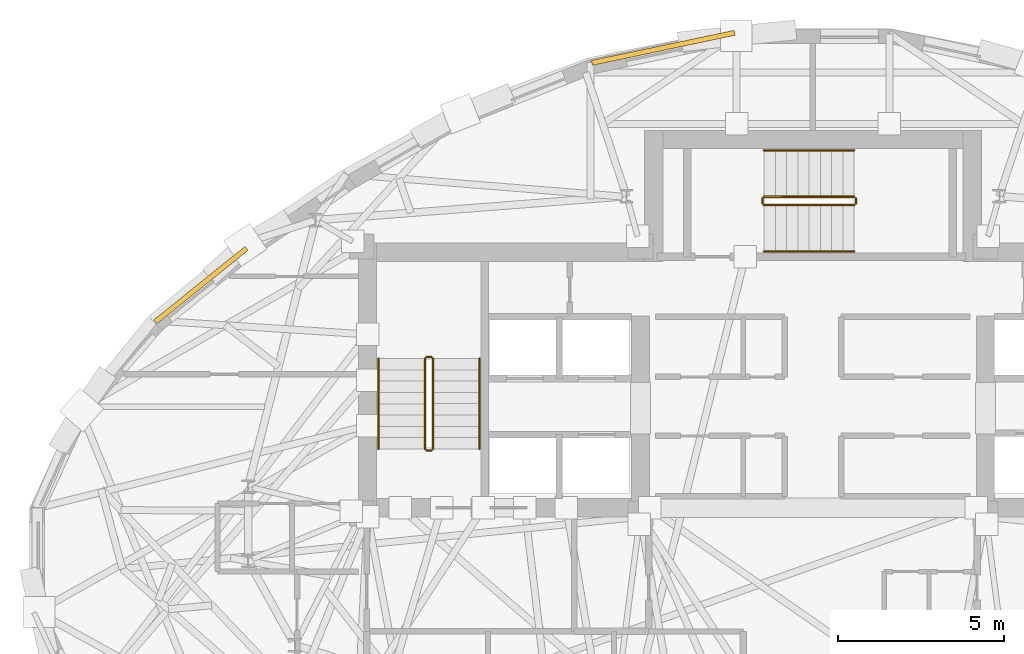
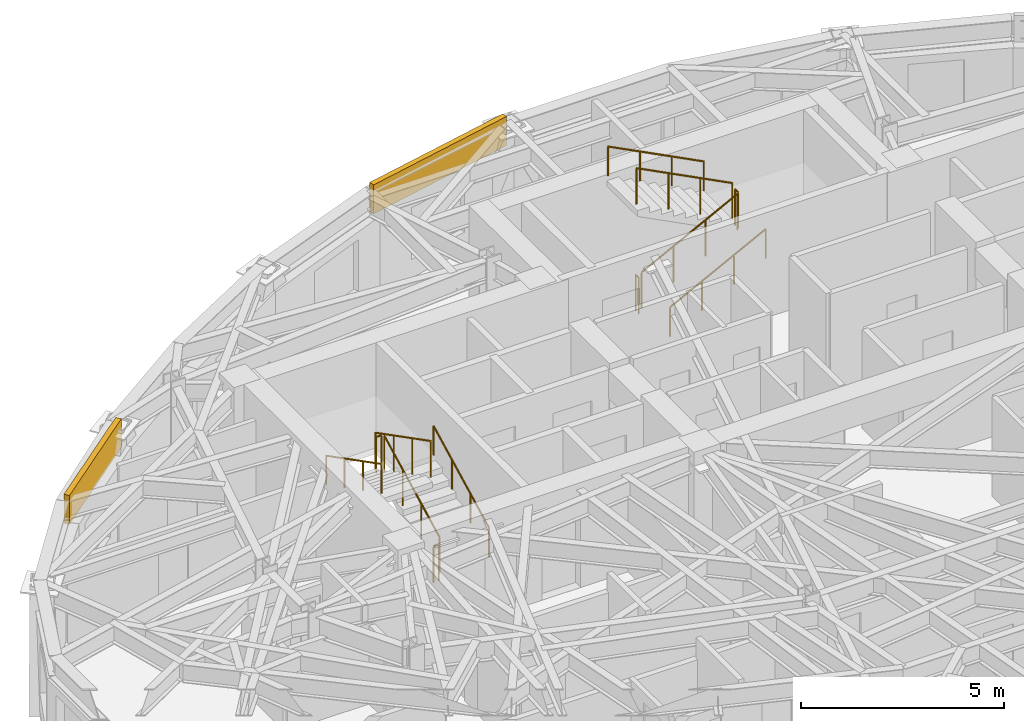
# One storey, part 13 of 14: 12 railings, 2 coverings.
"""IFC4 building model written with IfcOpenShell, lengths in metres."""

from ifc_helpers import new_model, si_unit, direction, frame, origin, origin_2d, place, context, subcontext, project, spatial, rectangle, circle, extrude, material, layer, layer_set, type_object, element, save


model = new_model("IFC4")

# Units and contexts
model_context = context("Model", 3, precision=1e-05, world=origin(), true_north=direction((0.0, 1.0)))
body_context = subcontext(model_context, "Body", "Model", "MODEL_VIEW")
ifc_project = project(units=[si_unit("LENGTHUNIT", "METRE"), si_unit("AREAUNIT", "SQUARE_METRE"), si_unit("VOLUMEUNIT", "CUBIC_METRE"), si_unit("PLANEANGLEUNIT", "RADIAN"), si_unit("MASSUNIT", "GRAM", prefix="KILO")], contexts=[model_context])

# Site, building, storey
site_placement = place(None, origin())
site = spatial("IfcSite", under=ifc_project, at=site_placement, CompositionType="ELEMENT")
building_placement = place(site_placement, origin())
building = spatial("IfcBuilding", under=site, at=building_placement, Name="Keldmark Tower", CompositionType="ELEMENT")
storey_placement = place(building_placement, frame((0.0, 0.0, 213.14990234375)))
storey = spatial("IfcBuildingStorey", under=building, at=storey_placement, Name="L59", CompositionType="ELEMENT", Elevation=213.14990234375)

# Coverings
ifc_material_1 = material(Name="Honed Kasota Buff Dolomitic Limestone", Category="masonry")
ifc_layer = layer(ifc_material_1, 0.074951171875)
ifc_layer_set = layer_set([ifc_layer], Name="Honed Kasota Buff Dolomitic Limestone")
covering_type = type_object("IfcCoveringType", Name="Kasota Buff Limestone Spandrel Cladding Band", PredefinedType="CLADDING", material=ifc_layer_set)
covering_1_placement = place(storey_placement, frame((-4.511962890625, 15.438232421875, 2.260009765625), z_axis=(0.0, 0.0, 1.0), x_axis=(-0.978400882716, -0.206716503214, 0.0)))
element("IfcCovering", 1, at=covering_1_placement, inside=storey, type_object=covering_type, Name="L59 Kasota Limestone Spandrel Band 09", PredefinedType="CLADDING", context=body_context, shape_type="SweptSolid", body=[
    extrude(rectangle(XDim=4.396484375, YDim=0.14990234375, at=origin_2d()), origin(), (0.0, 0.0, 1.0), 0.8701171875),
])
covering_2_placement = place(storey_placement, frame((-18.447998046875, 8.28662109375, 2.260009765625), z_axis=(0.0, 0.0, 1.0), x_axis=(-0.778812749127, -0.627256488047, 0.0)))
element("IfcCovering", 2, at=covering_2_placement, inside=storey, type_object=covering_type, Name="L59 Kasota Limestone Spandrel Band 13", PredefinedType="CLADDING", context=body_context, shape_type="SweptSolid", body=[
    extrude(rectangle(XDim=3.528076171875, YDim=0.14990234375, at=origin_2d()), origin(), (0.0, 0.0, 1.0), 0.8701171875),
])

# Railings
ifc_material_2 = material(Name="Painted Steel ASTM A500 Grade B", Category="steel")
railing_type_1 = type_object("IfcRailingType", Name="Painted Steel Stair Well Guard 1100 mm", PredefinedType="GUARDRAIL", material=ifc_material_2)
railing_1_placement = place(storey_placement, frame((-11.449951171875, 3.35009765625, 0.175048828125)))
element("IfcRailing", 3, at=railing_1_placement, inside=storey, type_object=railing_type_1, Name="L59 ST1 stair guard 1", PredefinedType="GUARDRAIL", context=body_context, shape_type="SweptSolid", body=[
    extrude(circle(Radius=0.02392578125, at=origin_2d()), frame((0.0, 0.0, 1.076171875), z_axis=(0.0, 0.889114319608, 0.457685182924), x_axis=(-1.0, 0.0, 0.0)), (0.0, 0.0, 1.0), 3.05908203125),
    extrude(circle(Radius=0.02099609375, at=origin_2d()), origin(), (0.0, 0.0, 1.0), 1.052001953125),
    extrude(circle(Radius=0.02099609375, at=origin_2d()), frame((0.0, 0.90673828125, 0.466796875)), (0.0, 0.0, 1.0), 1.052001953125),
    extrude(circle(Radius=0.02099609375, at=origin_2d()), frame((0.0, 1.813232421875, 0.933349609375)), (0.0, 0.0, 1.0), 1.052001953125),
    extrude(circle(Radius=0.02099609375, at=origin_2d()), frame((0.0, 2.719970703125, 1.400146484375)), (0.0, 0.0, 1.0), 1.052001953125),
])
railing_2_placement = place(storey_placement, frame((-11.5, 6.1201171875, 1.5751953125)))
element("IfcRailing", 4, at=railing_2_placement, inside=storey, type_object=railing_type_1, Name="L59 ST1 stair guard 2", PredefinedType="GUARDRAIL", context=body_context, shape_type="SweptSolid", body=[
    extrude(circle(Radius=0.02392578125, at=origin_2d()), frame((0.0, 0.0, 1.076171875), z_axis=(-1.0, 0.0, 0.0), x_axis=(0.0, -1.0, 0.0)), (0.0, 0.0, 1.0), 0.14990234375),
    extrude(circle(Radius=0.02099609375, at=origin_2d()), origin(), (0.0, 0.0, 1.0), 1.052001953125),
    extrude(circle(Radius=0.02099609375, at=origin_2d()), frame((-0.14990234375, 0.0, 0.0)), (0.0, 0.0, 1.0), 1.052001953125),
])
railing_3_placement = place(storey_placement, frame((-11.699951171875, 6.070068359375, 1.75)))
element("IfcRailing", 5, at=railing_3_placement, inside=storey, type_object=railing_type_1, Name="L59 ST1 stair guard 3", PredefinedType="GUARDRAIL", context=body_context, shape_type="SweptSolid", body=[
    extrude(circle(Radius=0.02392578125, at=origin_2d()), frame((0.0, 0.0, 1.076171875), z_axis=(0.0, -0.889114319608, 0.457685182924), x_axis=(1.0, 0.0, 0.0)), (0.0, 0.0, 1.0), 3.05908203125),
    extrude(circle(Radius=0.02099609375, at=origin_2d()), origin(), (0.0, 0.0, 1.0), 1.052001953125),
    extrude(circle(Radius=0.02099609375, at=origin_2d()), frame((0.0, -0.90673828125, 0.466796875)), (0.0, 0.0, 1.0), 1.052001953125),
    extrude(circle(Radius=0.02099609375, at=origin_2d()), frame((0.0, -1.813232421875, 0.933349609375)), (0.0, 0.0, 1.0), 1.052001953125),
    extrude(circle(Radius=0.02099609375, at=origin_2d()), frame((0.0, -2.719970703125, 1.400146484375)), (0.0, 0.0, 1.0), 1.052001953125),
])
railing_4_placement = place(storey_placement, frame((-11.5, 3.300048828125, 0.0)))
element("IfcRailing", 6, at=railing_4_placement, inside=storey, type_object=railing_type_1, Name="L59 ST1 stair guard 4", PredefinedType="GUARDRAIL", context=body_context, shape_type="SweptSolid", body=[
    extrude(circle(Radius=0.02392578125, at=origin_2d()), frame((0.0, 0.0, 1.076171875), z_axis=(-1.0, 0.0, 0.0), x_axis=(0.0, -1.0, 0.0)), (0.0, 0.0, 1.0), 0.14990234375),
    extrude(circle(Radius=0.02099609375, at=origin_2d()), origin(), (0.0, 0.0, 1.0), 1.052001953125),
    extrude(circle(Radius=0.02099609375, at=origin_2d()), frame((-0.14990234375, 0.0, 0.0)), (0.0, 0.0, 1.0), 1.052001953125),
])
railing_5_placement = place(storey_placement, frame((-1.47509765625, 10.699951171875, 0.175048828125)))
element("IfcRailing", 7, at=railing_5_placement, inside=storey, type_object=railing_type_1, Name="L59 ST3 stair guard 1", PredefinedType="GUARDRAIL", context=body_context, shape_type="SweptSolid", body=[
    extrude(circle(Radius=0.02392578125, at=origin_2d()), frame((0.0, 0.0, 1.076171875), z_axis=(0.889131035167, 0.0, 0.45765270927), x_axis=(0.0, 1.0, 0.0)), (0.0, 0.0, 1.0), 3.059326171875),
    extrude(circle(Radius=0.02099609375, at=origin_2d()), origin(), (0.0, 0.0, 1.0), 1.052001953125),
    extrude(circle(Radius=0.02099609375, at=origin_2d()), frame((0.90673828125, 0.0, 0.466796875)), (0.0, 0.0, 1.0), 1.052001953125),
    extrude(circle(Radius=0.02099609375, at=origin_2d()), frame((1.8134765625, 0.0, 0.933349609375)), (0.0, 0.0, 1.0), 1.052001953125),
    extrude(circle(Radius=0.02099609375, at=origin_2d()), frame((2.72021484375, 0.0, 1.400146484375)), (0.0, 0.0, 1.0), 1.052001953125),
])
railing_6_placement = place(storey_placement, frame((1.294921875, 10.75, 1.5751953125)))
element("IfcRailing", 8, at=railing_6_placement, inside=storey, type_object=railing_type_1, Name="L59 ST3 stair guard 2", PredefinedType="GUARDRAIL", context=body_context, shape_type="SweptSolid", body=[
    extrude(circle(Radius=0.02392578125, at=origin_2d()), frame((0.0, 0.0, 1.076171875), z_axis=(0.0, 1.0, 0.0), x_axis=(-1.0, 0.0, 0.0)), (0.0, 0.0, 1.0), 0.14990234375),
    extrude(circle(Radius=0.02099609375, at=origin_2d()), origin(), (0.0, 0.0, 1.0), 1.052001953125),
    extrude(circle(Radius=0.02099609375, at=origin_2d()), frame((0.0, 0.14990234375, 0.0)), (0.0, 0.0, 1.0), 1.052001953125),
])
railing_7_placement = place(storey_placement, frame((1.2451171875, 10.949951171875, 1.75)))
element("IfcRailing", 9, at=railing_7_placement, inside=storey, type_object=railing_type_1, Name="L59 ST3 stair guard 3", PredefinedType="GUARDRAIL", context=body_context, shape_type="SweptSolid", body=[
    extrude(circle(Radius=0.02392578125, at=origin_2d()), frame((0.0, 0.0, 1.076171875), z_axis=(-0.889131035167, 0.0, 0.45765270927), x_axis=(0.0, -1.0, 0.0)), (0.0, 0.0, 1.0), 3.059326171875),
    extrude(circle(Radius=0.02099609375, at=origin_2d()), origin(), (0.0, 0.0, 1.0), 1.052001953125),
    extrude(circle(Radius=0.02099609375, at=origin_2d()), frame((-0.90673828125, 0.0, 0.466796875)), (0.0, 0.0, 1.0), 1.052001953125),
    extrude(circle(Radius=0.02099609375, at=origin_2d()), frame((-1.8134765625, 0.0, 0.933349609375)), (0.0, 0.0, 1.0), 1.052001953125),
    extrude(circle(Radius=0.02099609375, at=origin_2d()), frame((-2.72021484375, 0.0, 1.400146484375)), (0.0, 0.0, 1.0), 1.052001953125),
])
railing_8_placement = place(storey_placement, frame((-1.52490234375, 10.75, 0.0)))
element("IfcRailing", 10, at=railing_8_placement, inside=storey, type_object=railing_type_1, Name="L59 ST3 stair guard 4", PredefinedType="GUARDRAIL", context=body_context, shape_type="SweptSolid", body=[
    extrude(circle(Radius=0.02392578125, at=origin_2d()), frame((0.0, 0.0, 1.076171875), z_axis=(0.0, 1.0, 0.0), x_axis=(-1.0, 0.0, 0.0)), (0.0, 0.0, 1.0), 0.14990234375),
    extrude(circle(Radius=0.02099609375, at=origin_2d()), origin(), (0.0, 0.0, 1.0), 1.052001953125),
    extrude(circle(Radius=0.02099609375, at=origin_2d()), frame((0.0, 0.14990234375, 0.0)), (0.0, 0.0, 1.0), 1.052001953125),
])
ifc_material_3 = material(Name="Stainless Steel AISI 316L", Category="steel")
railing_type_2 = type_object("IfcRailingType", Name="Stainless Steel Stair Handrail 900 mm", PredefinedType="HANDRAIL", material=ifc_material_3)
railing_9_placement = place(storey_placement, frame((-10.050048828125, 3.35009765625, 0.175048828125)))
element("IfcRailing", 11, at=railing_9_placement, inside=storey, type_object=railing_type_2, Name="L59 ST1 stair handrail 1", PredefinedType="HANDRAIL", context=body_context, shape_type="SweptSolid", body=[
    extrude(circle(Radius=0.02392578125, at=origin_2d()), frame((0.0, 0.0, 0.8759765625), z_axis=(0.0, 0.889114319608, 0.457685182924), x_axis=(-1.0, 0.0, 0.0)), (0.0, 0.0, 1.0), 3.05908203125),
    extrude(circle(Radius=0.02099609375, at=origin_2d()), origin(), (0.0, 0.0, 1.0), 0.851806640625),
    extrude(circle(Radius=0.02099609375, at=origin_2d()), frame((0.0, 0.90673828125, 0.466796875)), (0.0, 0.0, 1.0), 0.851806640625),
    extrude(circle(Radius=0.02099609375, at=origin_2d()), frame((0.0, 1.813232421875, 0.933349609375)), (0.0, 0.0, 1.0), 0.851806640625),
    extrude(circle(Radius=0.02099609375, at=origin_2d()), frame((0.0, 2.719970703125, 1.400146484375)), (0.0, 0.0, 1.0), 0.851806640625),
])
railing_10_placement = place(storey_placement, frame((-13.10009765625, 6.070068359375, 1.75)))
element("IfcRailing", 12, at=railing_10_placement, inside=storey, type_object=railing_type_2, Name="L59 ST1 stair handrail 2", PredefinedType="HANDRAIL", context=body_context, shape_type="SweptSolid", body=[
    extrude(circle(Radius=0.02392578125, at=origin_2d()), frame((0.0, 0.0, 0.8759765625), z_axis=(0.0, -0.889114319608, 0.457685182924), x_axis=(1.0, 0.0, 0.0)), (0.0, 0.0, 1.0), 3.05908203125),
    extrude(circle(Radius=0.02099609375, at=origin_2d()), origin(), (0.0, 0.0, 1.0), 0.851806640625),
    extrude(circle(Radius=0.02099609375, at=origin_2d()), frame((0.0, -0.90673828125, 0.466796875)), (0.0, 0.0, 1.0), 0.851806640625),
    extrude(circle(Radius=0.02099609375, at=origin_2d()), frame((0.0, -1.813232421875, 0.933349609375)), (0.0, 0.0, 1.0), 0.851806640625),
    extrude(circle(Radius=0.02099609375, at=origin_2d()), frame((0.0, -2.719970703125, 1.400146484375)), (0.0, 0.0, 1.0), 0.851806640625),
])
railing_11_placement = place(storey_placement, frame((-1.47509765625, 9.300048828125, 0.175048828125)))
element("IfcRailing", 13, at=railing_11_placement, inside=storey, type_object=railing_type_2, Name="L59 ST3 stair handrail 1", PredefinedType="HANDRAIL", context=body_context, shape_type="SweptSolid", body=[
    extrude(circle(Radius=0.02392578125, at=origin_2d()), frame((0.0, 0.0, 0.8759765625), z_axis=(0.889131035167, 0.0, 0.45765270927), x_axis=(0.0, 1.0, 0.0)), (0.0, 0.0, 1.0), 3.059326171875),
    extrude(circle(Radius=0.02099609375, at=origin_2d()), origin(), (0.0, 0.0, 1.0), 0.851806640625),
    extrude(circle(Radius=0.02099609375, at=origin_2d()), frame((0.90673828125, 0.0, 0.466796875)), (0.0, 0.0, 1.0), 0.851806640625),
    extrude(circle(Radius=0.02099609375, at=origin_2d()), frame((1.8134765625, 0.0, 0.933349609375)), (0.0, 0.0, 1.0), 0.851806640625),
    extrude(circle(Radius=0.02099609375, at=origin_2d()), frame((2.72021484375, 0.0, 1.400146484375)), (0.0, 0.0, 1.0), 0.851806640625),
])
railing_12_placement = place(storey_placement, frame((1.2451171875, 12.35009765625, 1.75)))
element("IfcRailing", 14, at=railing_12_placement, inside=storey, type_object=railing_type_2, Name="L59 ST3 stair handrail 2", PredefinedType="HANDRAIL", context=body_context, shape_type="SweptSolid", body=[
    extrude(circle(Radius=0.02392578125, at=origin_2d()), frame((0.0, 0.0, 0.8759765625), z_axis=(-0.889131035167, 0.0, 0.45765270927), x_axis=(0.0, -1.0, 0.0)), (0.0, 0.0, 1.0), 3.059326171875),
    extrude(circle(Radius=0.02099609375, at=origin_2d()), origin(), (0.0, 0.0, 1.0), 0.851806640625),
    extrude(circle(Radius=0.02099609375, at=origin_2d()), frame((-0.90673828125, 0.0, 0.466796875)), (0.0, 0.0, 1.0), 0.851806640625),
    extrude(circle(Radius=0.02099609375, at=origin_2d()), frame((-1.8134765625, 0.0, 0.933349609375)), (0.0, 0.0, 1.0), 0.851806640625),
    extrude(circle(Radius=0.02099609375, at=origin_2d()), frame((-2.72021484375, 0.0, 1.400146484375)), (0.0, 0.0, 1.0), 0.851806640625),
])

save(model, "model.ifc")
